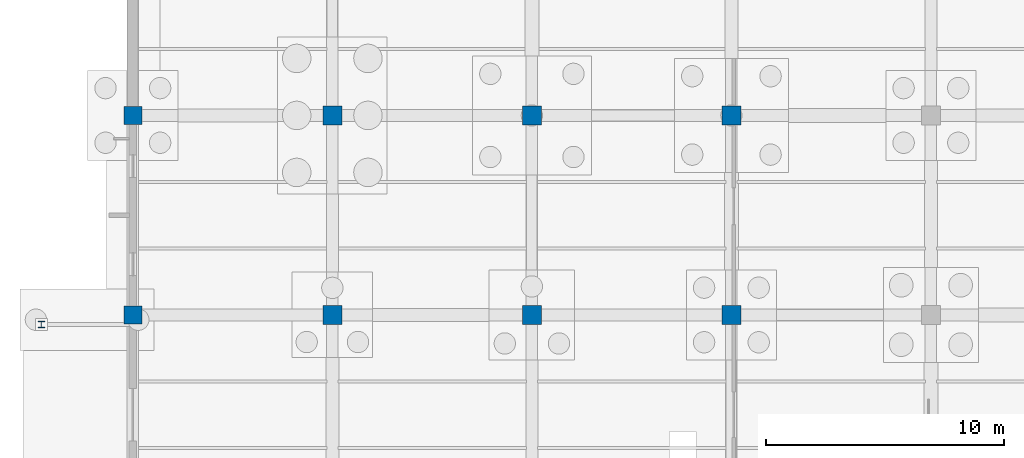
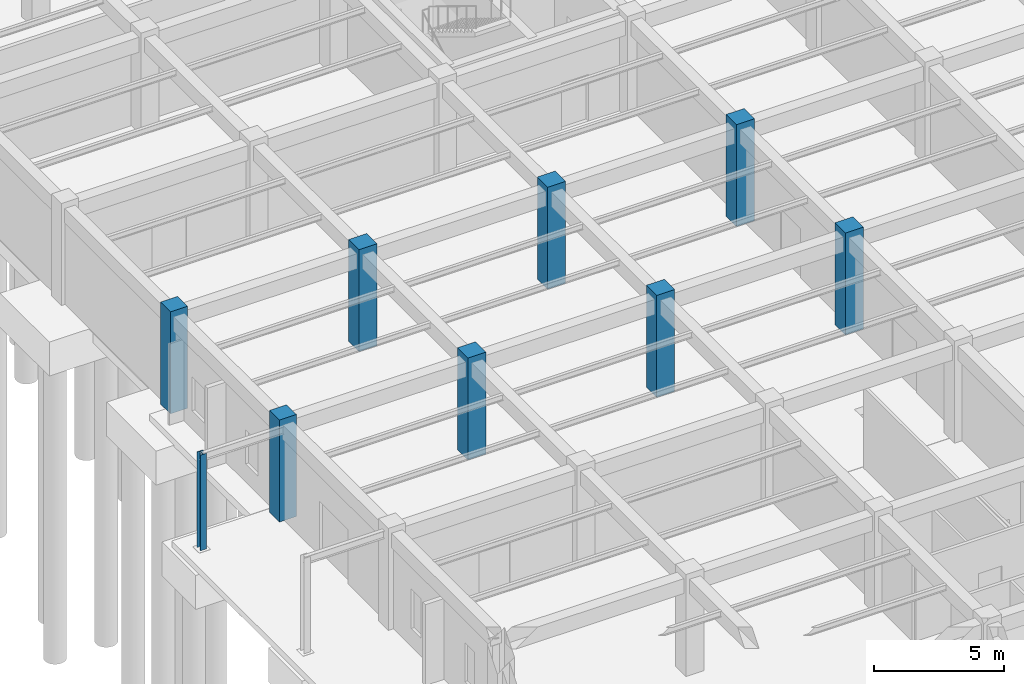
# One storey, part 20 of 192: 9 columns.
"""IFC4 building model written with IfcOpenShell, lengths in metres."""

import ifcopenshell
import ifcopenshell.guid

model = None  # the IFC model being written
_history = None  # IfcOwnerHistory: only IFC2X3 demands one
_inside = {}  # id of a spatial element -> (the spatial element, [elements in it])
_under = {}  # id of a project, library or spatial element -> (it, [spatial elements below it])
_declared = {}  # id of a project -> (the project, [libraries it declares])
_typed = {}  # id of a type object -> (the type object, [elements of that type])
_made_of = {}  # id of a material, layer set ... -> (it, [elements and type objects made of it])


def new_model(schema):
    """Start an empty IFC model of exactly this schema.

    Asked for "IFC4X3", IfcOpenShell would pick the latest addendum, in which some entities
    have other attributes; the version numbers below select the first issue.
    IFC2X3 requires an IfcOwnerHistory on every rooted entity: one is made here for all.
    """
    global model, _history
    if schema == "IFC4X3":
        model = ifcopenshell.file(schema_version=(4, 3, 0, 0))
    else:
        model = ifcopenshell.file(schema=schema)
    _inside.clear()
    _under.clear()
    _declared.clear()
    _typed.clear()
    _made_of.clear()
    _history = None
    if model.schema == "IFC2X3":
        org = make("IfcOrganization", Name="unknown")
        user = make(
            "IfcPersonAndOrganization",
            ThePerson=make("IfcPerson", FamilyName="unknown"),
            TheOrganization=org,
        )
        app = make(
            "IfcApplication",
            ApplicationDeveloper=org,
            Version="unknown",
            ApplicationFullName="unknown",
            ApplicationIdentifier="unknown",
        )
        _history = make(
            "IfcOwnerHistory",
            OwningUser=user,
            OwningApplication=app,
            ChangeAction="ADDED",
            CreationDate=0,
        )
    return model


def make(cls, **values):
    """One entity of the class cls with the attributes given. An attribute that is None is left unset."""
    return model.create_entity(
        cls, **{name: value for name, value in values.items() if value is not None}
    )


def rooted(cls, **values):
    """An entity with a GlobalId (a new one), such as an element, a storey or a relation."""
    return make(cls, GlobalId=ifcopenshell.guid.new(), OwnerHistory=_history, **values)


def si_unit(unit_type, name, prefix=None):
    """IfcSIUnit, for example si_unit("LENGTHUNIT", "METRE", prefix="MILLI")."""
    return make("IfcSIUnit", UnitType=unit_type, Prefix=prefix, Name=name)


def assignment(units):
    """IfcUnitAssignment: the units of a project."""
    return None if units is None else make("IfcUnitAssignment", Units=units)


def point(xyz):
    """IfcCartesianPoint."""
    return None if xyz is None else make("IfcCartesianPoint", Coordinates=xyz)


def direction(xyz):
    """IfcDirection."""
    return None if xyz is None else make("IfcDirection", DirectionRatios=xyz)


def frame(location, z_axis=None, x_axis=None):
    """IfcAxis2Placement3D, a coordinate frame: its origin and axes. An axis left out is left unset."""
    return make(
        "IfcAxis2Placement3D",
        Location=point(location),
        Axis=direction(z_axis),
        RefDirection=direction(x_axis),
    )


def frame_2d(location, x_axis=None):
    """IfcAxis2Placement2D, a coordinate frame in the plane: its origin and x axis."""
    return make(
        "IfcAxis2Placement2D", Location=point(location), RefDirection=direction(x_axis)
    )


def origin():
    """The frame at (0, 0, 0) with its axes left unset."""
    return frame((0.0, 0.0, 0.0))


def origin_2d():
    """The frame at (0, 0) in the plane with its x axis left unset."""
    return frame_2d((0.0, 0.0))


def place(relative_to, where):
    """IfcLocalPlacement: puts the frame where relative to a parent placement (None: the world)."""
    return make(
        "IfcLocalPlacement", PlacementRelTo=relative_to, RelativePlacement=where
    )


def context(
    kind, dimensions, precision=None, world=None, true_north=None, identifier=None
):
    """IfcGeometricRepresentationContext, for example the 3D "Model" context."""
    return make(
        "IfcGeometricRepresentationContext",
        ContextIdentifier=identifier,
        ContextType=kind,
        CoordinateSpaceDimension=dimensions,
        Precision=precision,
        WorldCoordinateSystem=world,
        TrueNorth=true_north,
    )


def subcontext(parent, identifier, kind, view, scale=None):
    """IfcGeometricRepresentationSubContext, for example "Body" below "Model"."""
    return make(
        "IfcGeometricRepresentationSubContext",
        ContextIdentifier=identifier,
        ContextType=kind,
        ParentContext=parent,
        TargetScale=scale,
        TargetView=view,
    )


def project(units=None, contexts=None):
    """IfcProject with its units and contexts."""
    return rooted(
        "IfcProject",
        Name="project",
        RepresentationContexts=contexts,
        UnitsInContext=assignment(units),
    )


def spatial(cls, under=None, at=None, **own):
    """A site, building, storey or space (cls), placed at a placement, below another one or the project."""
    s = rooted(cls, ObjectPlacement=at, **own)
    if under is not None:
        _under.setdefault(under.id(), (under, []))[1].append(s)
    return s


def profile(cls, at=None, kind="AREA", **sizes):
    """A parametric profile (cls). Its sizes go by their IFC names, for example OverallWidth=200.0."""
    return make(cls, ProfileType=kind, Position=at, **sizes)


def rectangle(**sizes):
    """IfcRectangleProfileDef."""
    return profile("IfcRectangleProfileDef", **sizes)


def i_section(**sizes):
    """IfcIShapeProfileDef."""
    return profile("IfcIShapeProfileDef", **sizes)


def extrude(swept, where, along, depth):
    """IfcExtrudedAreaSolid: the profile swept, set in the frame where, extruded along a direction by depth."""
    return make(
        "IfcExtrudedAreaSolid",
        SweptArea=swept,
        Position=where,
        ExtrudedDirection=direction(along),
        Depth=depth,
    )


def shape(context_of_items, identifier, shape_type, items):
    """IfcShapeRepresentation: the items that make up one representation, for example the "Body"."""
    return make(
        "IfcShapeRepresentation",
        ContextOfItems=context_of_items,
        RepresentationIdentifier=identifier,
        RepresentationType=shape_type,
        Items=items,
    )


def material(Name=None, Category=None):
    """IfcMaterial."""
    return make("IfcMaterial", Name=Name, Category=Category)


def material_profile(
    of_material, cross_section, Name=None, Category=None, Priority=None
):
    """IfcMaterialProfile: a cross section and its material."""
    return make(
        "IfcMaterialProfile",
        Name=Name,
        Material=of_material,
        Profile=cross_section,
        Priority=Priority,
        Category=Category,
    )


def profile_set(profiles, Name=None, composite=None):
    """IfcMaterialProfileSet."""
    return make(
        "IfcMaterialProfileSet",
        Name=Name,
        MaterialProfiles=profiles,
        CompositeProfile=composite,
    )


def made_of(thing, what):
    """Note that an element or type object is made of a material, layer set ...; save() writes the relation."""
    if what is not None:
        _made_of.setdefault(what.id(), (what, []))[1].append(thing)
    return thing


def type_object(cls, material=None, **own):
    """A type object (cls), such as IfcWallType, which elements share."""
    return made_of(rooted(cls, **own), material)


def element(
    cls,
    number,
    at=None,
    inside=None,
    cuts=None,
    type_object=None,
    material=None,
    context=None,
    identifier="Body",
    shape_type=None,
    held_by="IfcProductDefinitionShape",
    body=None,
    shapes=None,
    **own,
):
    """One element of the class cls, such as IfcWall. Its Tag is "e" and its number.

    at: its placement. inside: the storey or other place that contains it. cuts: it is an
    opening in that element (IfcRelVoidsElement). A single representation is given by context,
    identifier, shape_type and body (its items); several are given by shapes. held_by: the class
    of the entity that holds the representations. save() writes the other relations.
    """
    e = rooted(cls, Tag="e%d" % number, ObjectPlacement=at, **own)
    if body is not None:
        shapes = [shape(context, identifier, shape_type, body)]
    if shapes is not None:
        e.Representation = make(held_by, Representations=shapes)
    if inside is not None:
        _inside.setdefault(inside.id(), (inside, []))[1].append(e)
    if cuts is not None:
        rooted(
            "IfcRelVoidsElement", RelatingBuildingElement=cuts, RelatedOpeningElement=e
        )
    if type_object is not None:
        _typed.setdefault(type_object.id(), (type_object, []))[1].append(e)
    return made_of(e, material)


def aggregate(whole, parts):
    """IfcRelAggregates: a whole, such as a stair, and the parts it consists of."""
    return rooted("IfcRelAggregates", RelatingObject=whole, RelatedObjects=parts)


def save(model, path):
    """Write the relations noted so far, then the file.

    IfcRelAggregates (storeys below a building ...), IfcRelContainedInSpatialStructure (elements
    in a storey), IfcRelDefinesByType, IfcRelAssociatesMaterial and IfcRelDeclares: one each for
    every whole, place, type object, material and project.
    """
    for whole, parts in _under.values():
        aggregate(whole, parts)
    for where, things in _inside.values():
        rooted(
            "IfcRelContainedInSpatialStructure",
            RelatedElements=things,
            RelatingStructure=where,
        )
    for kind, things in _typed.values():
        rooted("IfcRelDefinesByType", RelatedObjects=things, RelatingType=kind)
    for what, things in _made_of.values():
        rooted("IfcRelAssociatesMaterial", RelatedObjects=things, RelatingMaterial=what)
    for by, libraries in _declared.values():
        rooted("IfcRelDeclares", RelatingContext=by, RelatedDefinitions=libraries)
    model.write(path)


model = new_model("IFC4")

# Units and contexts
model_context = context("Model", 3, precision=1e-05, world=origin(), true_north=direction((0.0, 1.0)))
body_context = subcontext(model_context, "Body", "Model", "MODEL_VIEW")
ifc_project = project(units=[si_unit("LENGTHUNIT", "METRE"), si_unit("AREAUNIT", "SQUARE_METRE"), si_unit("VOLUMEUNIT", "CUBIC_METRE"), si_unit("PLANEANGLEUNIT", "RADIAN"), si_unit("MASSUNIT", "GRAM", prefix="KILO")], contexts=[model_context])

# Site, building, storey
site_placement = place(None, origin())
site = spatial("IfcSite", under=ifc_project, at=site_placement, CompositionType="ELEMENT")
building_placement = place(site_placement, origin())
building = spatial("IfcBuilding", under=site, at=building_placement, Name="Trelvath General Hospital", CompositionType="ELEMENT")
storey_placement = place(building_placement, origin())
storey = spatial("IfcBuildingStorey", under=building, at=storey_placement, Name="L00", CompositionType="ELEMENT", Elevation=0.0)

# Columns
ifc_material_1 = material(Name="Steel S355", Category="steel")
ifc_material_profile_1 = material_profile(ifc_material_1, i_section(OverallWidth=0.280029296875, OverallDepth=0.27001953125, WebThickness=0.008056640625, FlangeThickness=0.012939453125, at=origin_2d()), Name="HEA280")
ifc_profile_set_1 = profile_set([ifc_material_profile_1], Name="Steel S355")
column_type_1 = type_object("IfcColumnType", Name="CanopyColumn HEA280", PredefinedType="COLUMN", material=ifc_profile_set_1)
column_placement = place(storey_placement, frame((-3.85009765625, 33.199951171875, 0.0), z_axis=(0.0, 0.0, 1.0), x_axis=(1.0, 0.0, 0.0)))
element("IfcColumn", 1, at=column_placement, inside=storey, type_object=column_type_1, Name="West Drop-Off Canopy Column WC-03", PredefinedType="COLUMN", context=body_context, shape_type="SweptSolid", body=[
    extrude(i_section(OverallWidth=0.280029296875, OverallDepth=0.27001953125, WebThickness=0.008056640625, FlangeThickness=0.012939453125, at=origin_2d()), origin(), (0.0, 0.0, 1.0), 4.5),
])
ifc_material_2 = material(Name="Concrete C40/50", Category="concrete")
ifc_material_profile_2 = material_profile(ifc_material_2, rectangle(XDim=0.760009765625, YDim=0.760009765625, at=origin_2d()), Name="RC760x760")
ifc_profile_set_2 = profile_set([ifc_material_profile_2], Name="Concrete C40/50")
column_type_2 = type_object("IfcColumnType", Name="Column RC760", PredefinedType="COLUMN", material=ifc_profile_set_2)
for number, where, z_axis, x_axis, name in (
    (2, (0.0, 33.60009765625, 0.0), (0.0, 0.0, 1.0), (1.0, 0.0, 0.0), "Column C-1E L00"),
    (3, (0.0, 42.0, 0.0), (0.0, 0.0, 1.0), (1.0, 0.0, 0.0), "Column C-1F L00"),
):
    element("IfcColumn", number, at=place(storey_placement, frame(where, z_axis=z_axis, x_axis=x_axis)), inside=storey, type_object=column_type_2, Name=name, PredefinedType="COLUMN", context=body_context, shape_type="SweptSolid", body=[
        extrude(rectangle(XDim=0.760009765625, YDim=0.760009765625, at=origin_2d()), origin(), (0.0, 0.0, 1.0), 4.800048828125),
    ])
ifc_material_3 = material(Name="Concrete C40/50", Category="concrete")
ifc_material_profile_3 = material_profile(ifc_material_3, rectangle(XDim=0.800048828125, YDim=0.800048828125, at=origin_2d()), Name="RC800x800")
ifc_profile_set_3 = profile_set([ifc_material_profile_3], Name="Concrete C40/50")
column_type_3 = type_object("IfcColumnType", Name="Column RC800", PredefinedType="COLUMN", material=ifc_profile_set_3)
for number, where, z_axis, x_axis, name in (
    (4, (8.39990234375, 33.60009765625, 0.0), (0.0, 0.0, 1.0), (1.0, 0.0, 0.0), "Column C-2E L00"),
    (5, (8.39990234375, 42.0, 0.0), (0.0, 0.0, 1.0), (1.0, 0.0, 0.0), "Column C-2F L00"),
    (6, (16.800048828125, 33.60009765625, 0.0), (0.0, 0.0, 1.0), (1.0, 0.0, 0.0), "Column C-3E L00"),
    (7, (16.800048828125, 42.0, 0.0), (0.0, 0.0, 1.0), (1.0, 0.0, 0.0), "Column C-3F L00"),
    (8, (25.199951171875, 33.60009765625, 0.0), (0.0, 0.0, 1.0), (1.0, 0.0, 0.0), "Column C-4E L00"),
    (9, (25.199951171875, 42.0, 0.0), (0.0, 0.0, 1.0), (1.0, 0.0, 0.0), "Column C-4F L00"),
):
    element("IfcColumn", number, at=place(storey_placement, frame(where, z_axis=z_axis, x_axis=x_axis)), inside=storey, type_object=column_type_3, Name=name, PredefinedType="COLUMN", context=body_context, shape_type="SweptSolid", body=[
        extrude(rectangle(XDim=0.800048828125, YDim=0.800048828125, at=origin_2d()), origin(), (0.0, 0.0, 1.0), 4.800048828125),
    ])

save(model, "model.ifc")
